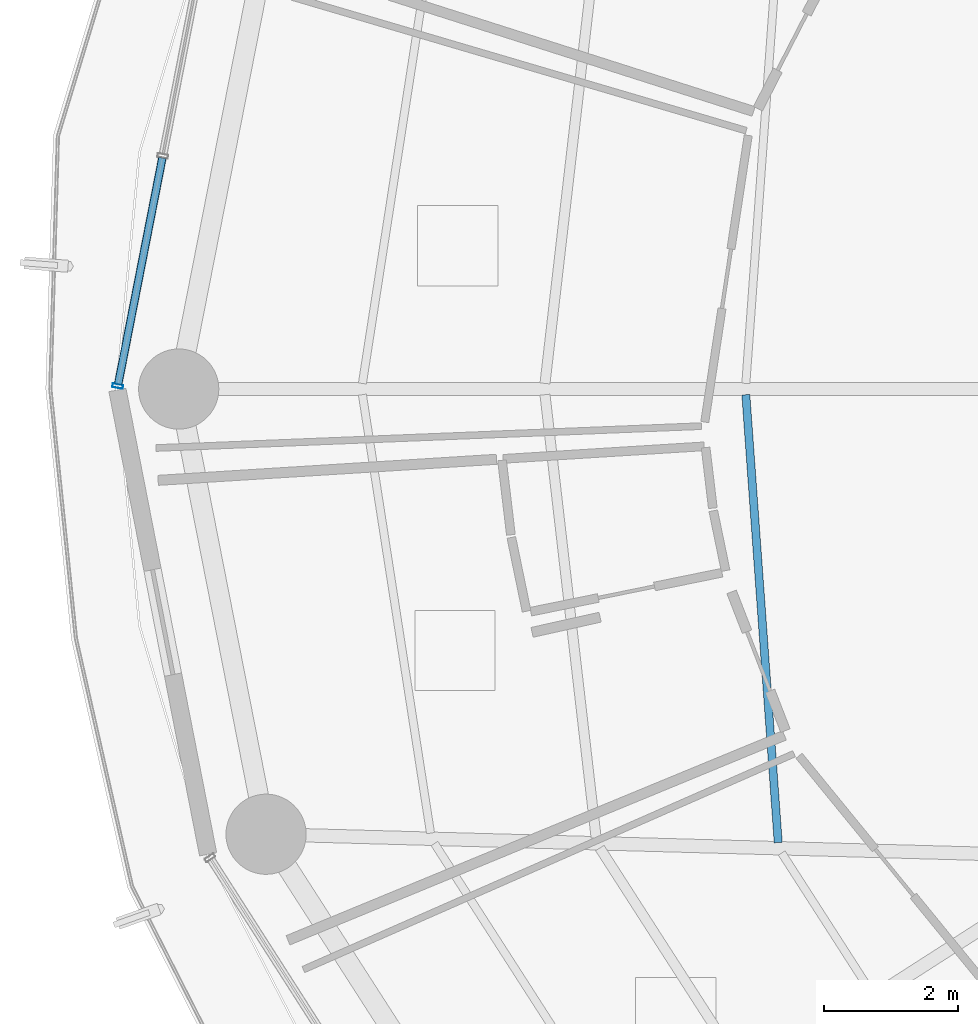
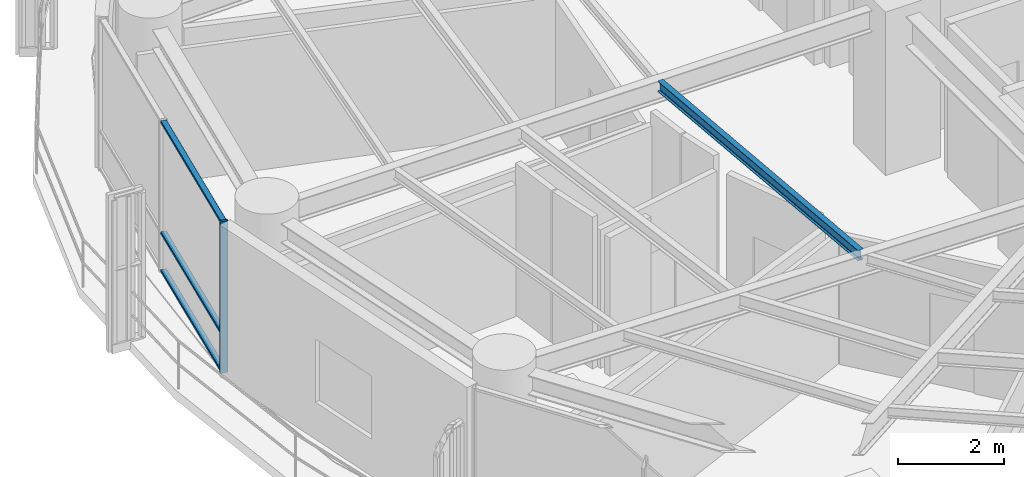
# One storey, part 6 of 27: 4 members, 1 beam, 1 element without a shape of its own.
"""IFC4 building model written with IfcOpenShell, lengths in metres."""

from ifc_helpers import new_model, si_unit, direction, frame, origin, origin_2d, place, context, subcontext, project, spatial, hollow_rectangle, i_section, extrude, material, layer, layer_set, material_profile, profile_set, type_object, element, aggregate, save


model = new_model("IFC4")

# Units and contexts
model_context = context("Model", 3, precision=1e-05, world=origin(), true_north=direction((0.0, 1.0)))
body_context = subcontext(model_context, "Body", "Model", "MODEL_VIEW")
ifc_project = project(units=[si_unit("LENGTHUNIT", "METRE"), si_unit("AREAUNIT", "SQUARE_METRE"), si_unit("VOLUMEUNIT", "CUBIC_METRE"), si_unit("PLANEANGLEUNIT", "RADIAN"), si_unit("MASSUNIT", "GRAM", prefix="KILO")], contexts=[model_context])

# Site, building, storey
site_placement = place(None, origin())
site = spatial("IfcSite", under=ifc_project, at=site_placement, CompositionType="ELEMENT")
building_placement = place(site_placement, origin())
building = spatial("IfcBuilding", under=site, at=building_placement, Name="Kelanora Arch Commons", CompositionType="ELEMENT")
storey_placement = place(building_placement, frame((0.0, 0.0, 150.60009765625)))
storey = spatial("IfcBuildingStorey", under=building, at=storey_placement, Name="L38", CompositionType="ELEMENT", Elevation=150.60009765625)

# Beam
ifc_material_1 = material(Name="Steel S355", Category="steel")
ifc_material_profile_1 = material_profile(ifc_material_1, i_section(OverallWidth=0.1201171875, OverallDepth=0.239990234375, WebThickness=0.006103515625, FlangeThickness=0.009765625, FilletRadius=0.014892578125, at=origin_2d()), Name="IPE240")
ifc_profile_set_1 = profile_set([ifc_material_profile_1], Name="Steel S355")
beam_type = type_object("IfcBeamType", Name="BM-JST-02", PredefinedType="JOIST", material=ifc_profile_set_1)
beam_placement = place(storey_placement, frame((60.8076171875, 57.915283203125, 3.369873046875), z_axis=(0.072117123738, -0.997396170267, 0.0), x_axis=(0.997396170267, 0.072117123738, 0.0)))
element("IfcBeam", 1, at=beam_placement, inside=storey, type_object=beam_type, Name="Secondary Chord Joist BJA-18 L38", PredefinedType="JOIST", context=body_context, shape_type="SweptSolid", body=[
    extrude(i_section(OverallWidth=0.1201171875, OverallDepth=0.239990234375, WebThickness=0.006103515625, FlangeThickness=0.009765625, FilletRadius=0.014892578125, at=origin_2d()), origin(), (0.0, 0.0, 1.0), 6.719970703125),
])

# Curtain wall, members
ifc_material_2 = material(Name="Terracotta ceramic-fritted low-E glass and aluminium", Category="masonry")
ifc_layer = layer(ifc_material_2, 0.175048828125)
ifc_layer_set = layer_set([ifc_layer], Name="Terracotta ceramic-fritted low-E glass and aluminium")
curtain_wall_type = type_object("IfcCurtainWallType", Name="CW-SYS-02", PredefinedType="NOTDEFINED", material=ifc_layer_set)
curtain_wall_placement = place(storey_placement, origin())
curtain_wall = element("IfcCurtainWall", 2, at=curtain_wall_placement, inside=storey, type_object=curtain_wall_type, Name="Unitised Curtain Wall L38-B08", PredefinedType="NOTDEFINED")
ifc_material_3 = material(Name="Powder-coated aluminium terracotta", Category="masonry")
ifc_material_profile_2 = material_profile(ifc_material_3, hollow_rectangle(XDim=0.159912109375, YDim=0.06005859375, WallThickness=0.0048828125, InnerFilletRadius=0.0048828125, OuterFilletRadius=0.010009765625, at=origin_2d()), Name="CWM160x60")
ifc_profile_set_2 = profile_set([ifc_material_profile_2], Name="Powder-coated aluminium terracotta")
member_type_1 = type_object("IfcMemberType", Name="CWM-STD", PredefinedType="MULLION", material=ifc_profile_set_2)
member_1_placement = place(storey_placement, frame((51.40869140625, 58.044189453125, 0.0), z_axis=(0.0, 0.0, 1.0), x_axis=(0.981452557718, -0.191705182375, 0.0)))
member_1 = element("IfcMember", 3, at=member_1_placement, type_object=member_type_1, Name="CW-02 mullion 3", PredefinedType="MULLION", context=body_context, shape_type="SweptSolid", body=[
    extrude(hollow_rectangle(XDim=0.159912109375, YDim=0.06005859375, WallThickness=0.0048828125, InnerFilletRadius=0.0048828125, OuterFilletRadius=0.010009765625, at=origin_2d()), origin(), (0.0, 0.0, 1.0), 3.474853515625),
])
ifc_material_profile_3 = material_profile(ifc_material_3, hollow_rectangle(XDim=0.1201171875, YDim=0.06005859375, WallThickness=0.0048828125, InnerFilletRadius=0.0048828125, OuterFilletRadius=0.010009765625, at=origin_2d()), Name="CWT120x60")
ifc_profile_set_3 = profile_set([ifc_material_profile_3], Name="Powder-coated aluminium terracotta")
member_type_2 = type_object("IfcMemberType", Name="CWT-STD", PredefinedType="USERDEFINED", material=ifc_profile_set_3)
member_2_placement = place(storey_placement, frame((52.07568359375, 61.459228515625, 0.02978515625), z_axis=(-0.191718206447, -0.981450013662, 0.0), x_axis=(0.981450013662, -0.191718206447, 0.0)))
member_2 = element("IfcMember", 4, at=member_2_placement, type_object=member_type_2, Name="CW-02 transom 2.1", ObjectType="TRANSOM", PredefinedType="USERDEFINED", context=body_context, shape_type="SweptSolid", body=[
    extrude(hollow_rectangle(XDim=0.1201171875, YDim=0.06005859375, WallThickness=0.0048828125, InnerFilletRadius=0.0048828125, OuterFilletRadius=0.010009765625, at=origin_2d()), origin(), (0.0, 0.0, 1.0), 3.44970703125),
])
member_3_placement = place(storey_placement, frame((52.07568359375, 61.459228515625, 0.89990234375), z_axis=(-0.191718206447, -0.981450013662, 0.0), x_axis=(0.981450013662, -0.191718206447, 0.0)))
member_3 = element("IfcMember", 5, at=member_3_placement, type_object=member_type_2, Name="CW-02 transom 2.2", ObjectType="TRANSOM", PredefinedType="USERDEFINED", context=body_context, shape_type="SweptSolid", body=[
    extrude(hollow_rectangle(XDim=0.1201171875, YDim=0.06005859375, WallThickness=0.0048828125, InnerFilletRadius=0.0048828125, OuterFilletRadius=0.010009765625, at=origin_2d()), origin(), (0.0, 0.0, 1.0), 3.44970703125),
])
member_4_placement = place(storey_placement, frame((52.07568359375, 61.459228515625, 3.44482421875), z_axis=(-0.191718206447, -0.981450013662, 0.0), x_axis=(0.981450013662, -0.191718206447, 0.0)))
member_4 = element("IfcMember", 6, at=member_4_placement, type_object=member_type_2, Name="CW-02 transom 2.3", ObjectType="TRANSOM", PredefinedType="USERDEFINED", context=body_context, shape_type="SweptSolid", body=[
    extrude(hollow_rectangle(XDim=0.1201171875, YDim=0.06005859375, WallThickness=0.0048828125, InnerFilletRadius=0.0048828125, OuterFilletRadius=0.010009765625, at=origin_2d()), origin(), (0.0, 0.0, 1.0), 3.44970703125),
])
aggregate(curtain_wall, [member_1, member_2, member_3, member_4])

save(model, "model.ifc")
